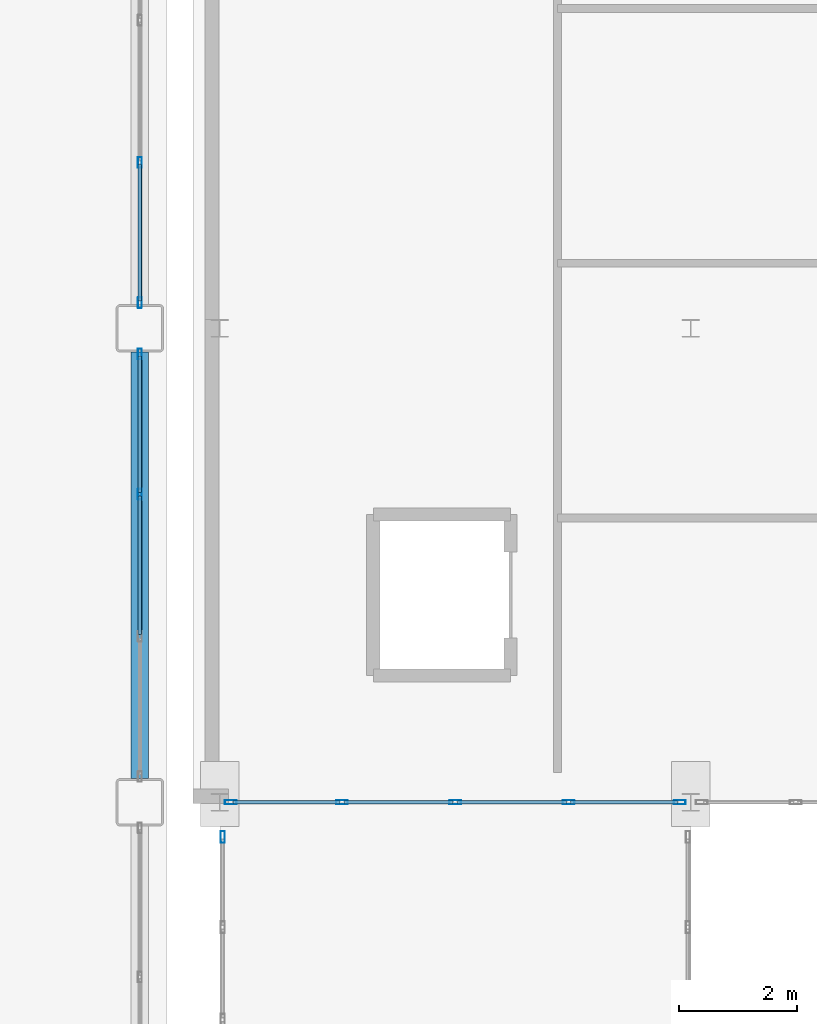
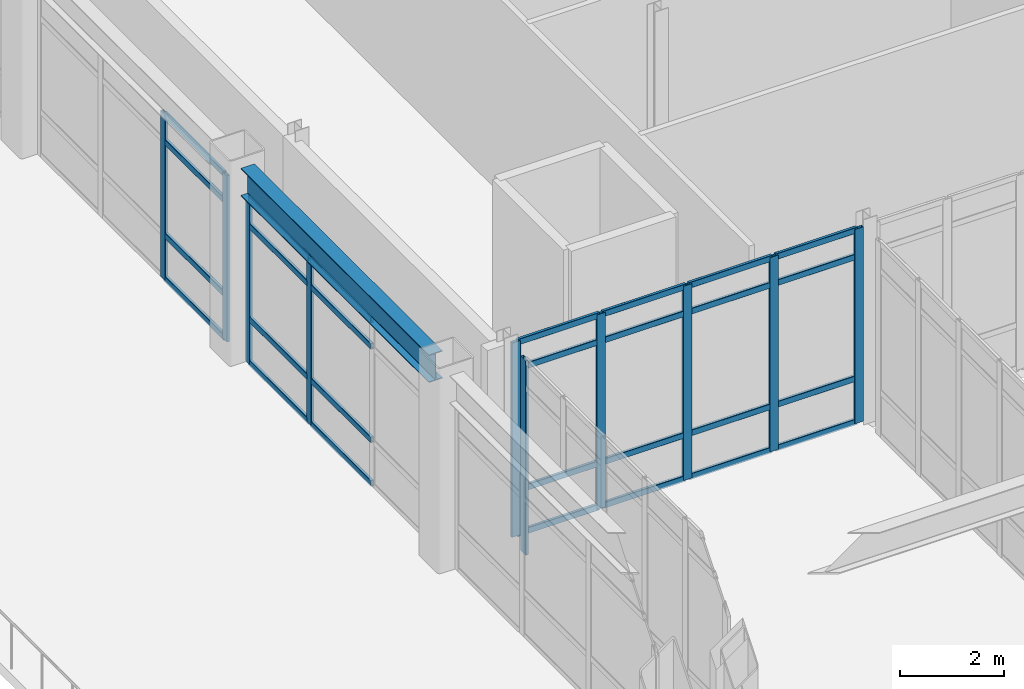
# One storey, part 64 of 154: 38 members, 1 beam, 4 elements without a shape of their own.
"""IFC4 building model written with IfcOpenShell, lengths in metres."""

from ifc_helpers import new_model, si_unit, direction, frame, origin, origin_2d, place, context, subcontext, project, spatial, hollow_rectangle, i_section, extrude, material, layer, layer_set, material_profile, profile_set, type_object, element, aggregate, save


model = new_model("IFC4")

# Units and contexts
model_context = context("Model", 3, precision=1e-05, world=origin(), true_north=direction((0.0, 1.0)))
body_context = subcontext(model_context, "Body", "Model", "MODEL_VIEW")
ifc_project = project(units=[si_unit("LENGTHUNIT", "METRE"), si_unit("AREAUNIT", "SQUARE_METRE"), si_unit("VOLUMEUNIT", "CUBIC_METRE"), si_unit("PLANEANGLEUNIT", "RADIAN"), si_unit("MASSUNIT", "GRAM", prefix="KILO")], contexts=[model_context])

# Site, building, storey
site_placement = place(None, origin())
site = spatial("IfcSite", under=ifc_project, at=site_placement, CompositionType="ELEMENT")
building_placement = place(site_placement, origin())
building = spatial("IfcBuilding", under=site, at=building_placement, Name="Kazehara Bluff Congress Hotel", CompositionType="ELEMENT")
storey_placement = place(building_placement, frame((0.0, 0.0, 10.199951171875)))
storey = spatial("IfcBuildingStorey", under=building, at=storey_placement, Name="L02", CompositionType="ELEMENT", Elevation=10.199951171875)

# Curtain wall, members
ifc_material_1 = material(Name="Anodised aluminium", Category="aluminium")
ifc_layer_1 = layer(ifc_material_1, 0.159912109375)
ifc_layer_set_1 = layer_set([ifc_layer_1], Name="Anodised aluminium")
curtain_wall_type_1 = type_object("IfcCurtainWallType", Name="TP-CW-23", PredefinedType="NOTDEFINED", material=ifc_layer_set_1)
curtain_wall_1_placement = place(storey_placement, origin())
curtain_wall_1 = element("IfcCurtainWall", 1, at=curtain_wall_1_placement, inside=storey, type_object=curtain_wall_type_1, Name="L02 curtain wall CW-23 CW-V1-L02-X5835-8130", PredefinedType="NOTDEFINED")
ifc_material_2 = material(Name="Anodised aluminium", Category="aluminium")
ifc_material_profile_1 = material_profile(ifc_material_2, hollow_rectangle(XDim=0.06494140625, YDim=0.179931640625, WallThickness=0.00390625, InnerFilletRadius=0.00390625, OuterFilletRadius=0.008056640625, at=origin_2d()))
ifc_profile_set_1 = profile_set([ifc_material_profile_1], Name="Anodised aluminium")
member_type_1 = type_object("IfcMemberType", Name="TP-CWM-02", PredefinedType="MULLION", material=ifc_profile_set_1)
member_1_placement = place(storey_placement, frame((58.35009765625, 86.10009765625, 0.0), z_axis=(0.0, 0.0, 1.0), x_axis=(-1.0, 0.0, 0.0)))
member_1 = element("IfcMember", 2, at=member_1_placement, type_object=member_type_1, Name="CW-23 mullion 3", PredefinedType="MULLION", context=body_context, shape_type="SweptSolid", body=[
    extrude(hollow_rectangle(XDim=0.06494140625, YDim=0.179931640625, WallThickness=0.00390625, InnerFilletRadius=0.00390625, OuterFilletRadius=0.008056640625, at=origin_2d()), origin(), (0.0, 0.0, 1.0), 3.885009765625),
])
member_2_placement = place(storey_placement, frame((58.35009765625, 88.467529296875, 0.0), z_axis=(0.0, 0.0, 1.0), x_axis=(-1.0, 0.0, 0.0)))
member_2 = element("IfcMember", 3, at=member_2_placement, type_object=member_type_1, Name="CW-23 mullion 4", PredefinedType="MULLION", context=body_context, shape_type="SweptSolid", body=[
    extrude(hollow_rectangle(XDim=0.06494140625, YDim=0.179931640625, WallThickness=0.00390625, InnerFilletRadius=0.00390625, OuterFilletRadius=0.008056640625, at=origin_2d()), origin(), (0.0, 0.0, 1.0), 3.885009765625),
])

curtain_wall_2_placement = place(storey_placement, origin())
curtain_wall_2 = element("IfcCurtainWall", 4, at=curtain_wall_2_placement, inside=storey, type_object=curtain_wall_type_1, Name="L02 curtain wall CW-23 CW-V1-L02-X5835-8930", PredefinedType="NOTDEFINED")
member_3_placement = place(storey_placement, frame((58.35009765625, 89.33251953125, 0.0), z_axis=(0.0, 0.0, 1.0), x_axis=(-1.0, 0.0, 0.0)))
member_3 = element("IfcMember", 5, at=member_3_placement, type_object=member_type_1, Name="CW-23 mullion 1", PredefinedType="MULLION", context=body_context, shape_type="SweptSolid", body=[
    extrude(hollow_rectangle(XDim=0.06494140625, YDim=0.179931640625, WallThickness=0.00390625, InnerFilletRadius=0.00390625, OuterFilletRadius=0.008056640625, at=origin_2d()), origin(), (0.0, 0.0, 1.0), 3.885009765625),
])
member_4_placement = place(storey_placement, frame((58.35009765625, 91.699951171875, 0.0), z_axis=(0.0, 0.0, 1.0), x_axis=(-1.0, 0.0, 0.0)))
member_4 = element("IfcMember", 6, at=member_4_placement, type_object=member_type_1, Name="CW-23 mullion 2", PredefinedType="MULLION", context=body_context, shape_type="SweptSolid", body=[
    extrude(hollow_rectangle(XDim=0.06494140625, YDim=0.179931640625, WallThickness=0.00390625, InnerFilletRadius=0.00390625, OuterFilletRadius=0.008056640625, at=origin_2d()), origin(), (0.0, 0.0, 1.0), 3.885009765625),
])

# Curtain wall, member
ifc_material_3 = material(Name="Anodised aluminium", Category="aluminium")
ifc_layer_2 = layer(ifc_material_3, 0.159912109375)
ifc_layer_set_2 = layer_set([ifc_layer_2], Name="Anodised aluminium")
curtain_wall_type_2 = type_object("IfcCurtainWallType", Name="TP-CW-03", PredefinedType="NOTDEFINED", material=ifc_layer_set_2)
curtain_wall_3_placement = place(storey_placement, origin())
curtain_wall_3 = element("IfcCurtainWall", 7, at=curtain_wall_3_placement, inside=storey, type_object=curtain_wall_type_2, Name="L02 curtain wall CW-03 CW-BRG-34-L02-A", PredefinedType="NOTDEFINED")
ifc_material_4 = material(Name="Anodised aluminium", Category="aluminium")
ifc_material_profile_2 = material_profile(ifc_material_4, hollow_rectangle(XDim=0.070068359375, YDim=0.199951171875, WallThickness=0.0048828125, InnerFilletRadius=0.0048828125, OuterFilletRadius=0.010009765625, at=origin_2d()))
ifc_profile_set_2 = profile_set([ifc_material_profile_2], Name="Anodised aluminium")
member_type_2 = type_object("IfcMemberType", Name="TP-CWM-03", PredefinedType="MULLION", material=ifc_profile_set_2)
member_5_placement = place(storey_placement, frame((59.75, 80.31494140625, 0.0), z_axis=(0.0, 0.0, 1.0), x_axis=(-1.0, 0.0, 0.0)))
member_5 = element("IfcMember", 8, at=member_5_placement, type_object=member_type_2, Name="CW-03 mullion 6", PredefinedType="MULLION", context=body_context, shape_type="SweptSolid", body=[
    extrude(hollow_rectangle(XDim=0.070068359375, YDim=0.199951171875, WallThickness=0.0048828125, InnerFilletRadius=0.0048828125, OuterFilletRadius=0.010009765625, at=origin_2d()), origin(), (0.0, 0.0, 1.0), 4.545166015625),
])
aggregate(curtain_wall_3, [member_5])

# Curtain wall, members
ifc_material_5 = material(Name="Anodised aluminium", Category="aluminium")
ifc_layer_3 = layer(ifc_material_5, 0.159912109375)
ifc_layer_set_3 = layer_set([ifc_layer_3], Name="Anodised aluminium")
curtain_wall_type_3 = type_object("IfcCurtainWallType", Name="TP-CW-38", PredefinedType="NOTDEFINED", material=ifc_layer_set_3)
curtain_wall_4_placement = place(storey_placement, origin())
curtain_wall_4 = element("IfcCurtainWall", 9, at=curtain_wall_4_placement, inside=storey, type_object=curtain_wall_type_3, Name="L02 curtain wall CW-38 CW-V3-L02-Y8090-5985", PredefinedType="NOTDEFINED")
member_6_placement = place(storey_placement, frame((59.885009765625, 80.89990234375, 0.0), z_axis=(0.0, 0.0, 1.0), x_axis=(0.0, 1.0, 0.0)))
member_6 = element("IfcMember", 10, at=member_6_placement, type_object=member_type_2, Name="CW-38 mullion 1", PredefinedType="MULLION", context=body_context, shape_type="SweptSolid", body=[
    extrude(hollow_rectangle(XDim=0.070068359375, YDim=0.199951171875, WallThickness=0.0048828125, InnerFilletRadius=0.0048828125, OuterFilletRadius=0.010009765625, at=origin_2d()), origin(), (0.0, 0.0, 1.0), 4.545166015625),
])
member_7_placement = place(storey_placement, frame((61.762451171875, 80.89990234375, 0.0), z_axis=(0.0, 0.0, 1.0), x_axis=(0.0, 1.0, 0.0)))
member_7 = element("IfcMember", 11, at=member_7_placement, type_object=member_type_2, Name="CW-38 mullion 2", PredefinedType="MULLION", context=body_context, shape_type="SweptSolid", body=[
    extrude(hollow_rectangle(XDim=0.070068359375, YDim=0.199951171875, WallThickness=0.0048828125, InnerFilletRadius=0.0048828125, OuterFilletRadius=0.010009765625, at=origin_2d()), origin(), (0.0, 0.0, 1.0), 4.545166015625),
])
member_8_placement = place(storey_placement, frame((63.675048828125, 80.89990234375, 0.0), z_axis=(0.0, 0.0, 1.0), x_axis=(0.0, 1.0, 0.0)))
member_8 = element("IfcMember", 12, at=member_8_placement, type_object=member_type_2, Name="CW-38 mullion 3", PredefinedType="MULLION", context=body_context, shape_type="SweptSolid", body=[
    extrude(hollow_rectangle(XDim=0.070068359375, YDim=0.199951171875, WallThickness=0.0048828125, InnerFilletRadius=0.0048828125, OuterFilletRadius=0.010009765625, at=origin_2d()), origin(), (0.0, 0.0, 1.0), 4.545166015625),
])
member_9_placement = place(storey_placement, frame((65.58740234375, 80.89990234375, 0.0), z_axis=(0.0, 0.0, 1.0), x_axis=(0.0, 1.0, 0.0)))
member_9 = element("IfcMember", 13, at=member_9_placement, type_object=member_type_2, Name="CW-38 mullion 4", PredefinedType="MULLION", context=body_context, shape_type="SweptSolid", body=[
    extrude(hollow_rectangle(XDim=0.070068359375, YDim=0.199951171875, WallThickness=0.0048828125, InnerFilletRadius=0.0048828125, OuterFilletRadius=0.010009765625, at=origin_2d()), origin(), (0.0, 0.0, 1.0), 4.545166015625),
])
member_10_placement = place(storey_placement, frame((67.465087890625, 80.89990234375, 0.0), z_axis=(0.0, 0.0, 1.0), x_axis=(0.0, 1.0, 0.0)))
member_10 = element("IfcMember", 14, at=member_10_placement, type_object=member_type_2, Name="CW-38 mullion 5", PredefinedType="MULLION", context=body_context, shape_type="SweptSolid", body=[
    extrude(hollow_rectangle(XDim=0.070068359375, YDim=0.199951171875, WallThickness=0.0048828125, InnerFilletRadius=0.0048828125, OuterFilletRadius=0.010009765625, at=origin_2d()), origin(), (0.0, 0.0, 1.0), 4.545166015625),
])

# Member
ifc_material_6 = material(Name="Anodised aluminium", Category="aluminium")
ifc_material_profile_3 = material_profile(ifc_material_6, hollow_rectangle(XDim=0.06494140625, YDim=0.139892578125, WallThickness=0.00390625, InnerFilletRadius=0.00390625, OuterFilletRadius=0.008056640625, at=origin_2d()))
ifc_profile_set_3 = profile_set([ifc_material_profile_3], Name="Anodised aluminium")
member_type_3 = type_object("IfcMemberType", Name="TP-CWT-02", PredefinedType="USERDEFINED", material=ifc_profile_set_3)
member_11_placement = place(storey_placement, frame((58.35009765625, 83.732421875, 0.032470703125), z_axis=(0.0, 1.0, 0.0), x_axis=(-1.0, 0.0, 0.0)))
member_11 = element("IfcMember", 15, at=member_11_placement, type_object=member_type_3, Name="CW-23 transom 2.1", ObjectType="TRANSOM", PredefinedType="USERDEFINED", context=body_context, shape_type="SweptSolid", body=[
    extrude(hollow_rectangle(XDim=0.06494140625, YDim=0.139892578125, WallThickness=0.00390625, InnerFilletRadius=0.00390625, OuterFilletRadius=0.008056640625, at=origin_2d()), origin(), (0.0, 0.0, 1.0), 2.3349609375),
])

member_12_placement = place(storey_placement, frame((58.35009765625, 83.732421875, 1.050048828125), z_axis=(0.0, 1.0, 0.0), x_axis=(-1.0, 0.0, 0.0)))
member_12 = element("IfcMember", 16, at=member_12_placement, type_object=member_type_3, Name="CW-23 transom 2.2", ObjectType="TRANSOM", PredefinedType="USERDEFINED", context=body_context, shape_type="SweptSolid", body=[
    extrude(hollow_rectangle(XDim=0.06494140625, YDim=0.139892578125, WallThickness=0.00390625, InnerFilletRadius=0.00390625, OuterFilletRadius=0.008056640625, at=origin_2d()), origin(), (0.0, 0.0, 1.0), 2.3349609375),
])

member_13_placement = place(storey_placement, frame((58.35009765625, 83.732421875, 3.235107421875), z_axis=(0.0, 1.0, 0.0), x_axis=(-1.0, 0.0, 0.0)))
member_13 = element("IfcMember", 17, at=member_13_placement, type_object=member_type_3, Name="CW-23 transom 2.3", ObjectType="TRANSOM", PredefinedType="USERDEFINED", context=body_context, shape_type="SweptSolid", body=[
    extrude(hollow_rectangle(XDim=0.06494140625, YDim=0.139892578125, WallThickness=0.00390625, InnerFilletRadius=0.00390625, OuterFilletRadius=0.008056640625, at=origin_2d()), origin(), (0.0, 0.0, 1.0), 2.3349609375),
])

member_14_placement = place(storey_placement, frame((58.35009765625, 83.732421875, 3.8525390625), z_axis=(0.0, 1.0, 0.0), x_axis=(-1.0, 0.0, 0.0)))
member_14 = element("IfcMember", 18, at=member_14_placement, type_object=member_type_3, Name="CW-23 transom 2.4", ObjectType="TRANSOM", PredefinedType="USERDEFINED", context=body_context, shape_type="SweptSolid", body=[
    extrude(hollow_rectangle(XDim=0.06494140625, YDim=0.139892578125, WallThickness=0.00390625, InnerFilletRadius=0.00390625, OuterFilletRadius=0.008056640625, at=origin_2d()), origin(), (0.0, 0.0, 1.0), 2.3349609375),
])

member_15_placement = place(storey_placement, frame((58.35009765625, 86.132568359375, 0.032470703125), z_axis=(0.0, 1.0, 0.0), x_axis=(-1.0, 0.0, 0.0)))
member_15 = element("IfcMember", 19, at=member_15_placement, type_object=member_type_3, Name="CW-23 transom 3.1", ObjectType="TRANSOM", PredefinedType="USERDEFINED", context=body_context, shape_type="SweptSolid", body=[
    extrude(hollow_rectangle(XDim=0.06494140625, YDim=0.139892578125, WallThickness=0.00390625, InnerFilletRadius=0.00390625, OuterFilletRadius=0.008056640625, at=origin_2d()), origin(), (0.0, 0.0, 1.0), 2.302490234375),
])

member_16_placement = place(storey_placement, frame((58.35009765625, 86.132568359375, 1.050048828125), z_axis=(0.0, 1.0, 0.0), x_axis=(-1.0, 0.0, 0.0)))
member_16 = element("IfcMember", 20, at=member_16_placement, type_object=member_type_3, Name="CW-23 transom 3.2", ObjectType="TRANSOM", PredefinedType="USERDEFINED", context=body_context, shape_type="SweptSolid", body=[
    extrude(hollow_rectangle(XDim=0.06494140625, YDim=0.139892578125, WallThickness=0.00390625, InnerFilletRadius=0.00390625, OuterFilletRadius=0.008056640625, at=origin_2d()), origin(), (0.0, 0.0, 1.0), 2.302490234375),
])

member_17_placement = place(storey_placement, frame((58.35009765625, 86.132568359375, 3.235107421875), z_axis=(0.0, 1.0, 0.0), x_axis=(-1.0, 0.0, 0.0)))
member_17 = element("IfcMember", 21, at=member_17_placement, type_object=member_type_3, Name="CW-23 transom 3.3", ObjectType="TRANSOM", PredefinedType="USERDEFINED", context=body_context, shape_type="SweptSolid", body=[
    extrude(hollow_rectangle(XDim=0.06494140625, YDim=0.139892578125, WallThickness=0.00390625, InnerFilletRadius=0.00390625, OuterFilletRadius=0.008056640625, at=origin_2d()), origin(), (0.0, 0.0, 1.0), 2.302490234375),
])

member_18_placement = place(storey_placement, frame((58.35009765625, 86.132568359375, 3.8525390625), z_axis=(0.0, 1.0, 0.0), x_axis=(-1.0, 0.0, 0.0)))
member_18 = element("IfcMember", 22, at=member_18_placement, type_object=member_type_3, Name="CW-23 transom 3.4", ObjectType="TRANSOM", PredefinedType="USERDEFINED", context=body_context, shape_type="SweptSolid", body=[
    extrude(hollow_rectangle(XDim=0.06494140625, YDim=0.139892578125, WallThickness=0.00390625, InnerFilletRadius=0.00390625, OuterFilletRadius=0.008056640625, at=origin_2d()), origin(), (0.0, 0.0, 1.0), 2.302490234375),
])

aggregate(curtain_wall_1, [member_1, member_2, member_11, member_12, member_13, member_14, member_15, member_16, member_17, member_18])

member_19_placement = place(storey_placement, frame((58.35009765625, 89.364990234375, 0.032470703125), z_axis=(0.0, 1.0, 0.0), x_axis=(-1.0, 0.0, 0.0)))
member_19 = element("IfcMember", 23, at=member_19_placement, type_object=member_type_3, Name="CW-23 transom 1.1", ObjectType="TRANSOM", PredefinedType="USERDEFINED", context=body_context, shape_type="SweptSolid", body=[
    extrude(hollow_rectangle(XDim=0.06494140625, YDim=0.139892578125, WallThickness=0.00390625, InnerFilletRadius=0.00390625, OuterFilletRadius=0.008056640625, at=origin_2d()), origin(), (0.0, 0.0, 1.0), 2.302490234375),
])

member_20_placement = place(storey_placement, frame((58.35009765625, 89.364990234375, 1.050048828125), z_axis=(0.0, 1.0, 0.0), x_axis=(-1.0, 0.0, 0.0)))
member_20 = element("IfcMember", 24, at=member_20_placement, type_object=member_type_3, Name="CW-23 transom 1.2", ObjectType="TRANSOM", PredefinedType="USERDEFINED", context=body_context, shape_type="SweptSolid", body=[
    extrude(hollow_rectangle(XDim=0.06494140625, YDim=0.139892578125, WallThickness=0.00390625, InnerFilletRadius=0.00390625, OuterFilletRadius=0.008056640625, at=origin_2d()), origin(), (0.0, 0.0, 1.0), 2.302490234375),
])

member_21_placement = place(storey_placement, frame((58.35009765625, 89.364990234375, 3.235107421875), z_axis=(0.0, 1.0, 0.0), x_axis=(-1.0, 0.0, 0.0)))
member_21 = element("IfcMember", 25, at=member_21_placement, type_object=member_type_3, Name="CW-23 transom 1.3", ObjectType="TRANSOM", PredefinedType="USERDEFINED", context=body_context, shape_type="SweptSolid", body=[
    extrude(hollow_rectangle(XDim=0.06494140625, YDim=0.139892578125, WallThickness=0.00390625, InnerFilletRadius=0.00390625, OuterFilletRadius=0.008056640625, at=origin_2d()), origin(), (0.0, 0.0, 1.0), 2.302490234375),
])

member_22_placement = place(storey_placement, frame((58.35009765625, 89.364990234375, 3.8525390625), z_axis=(0.0, 1.0, 0.0), x_axis=(-1.0, 0.0, 0.0)))
member_22 = element("IfcMember", 26, at=member_22_placement, type_object=member_type_3, Name="CW-23 transom 1.4", ObjectType="TRANSOM", PredefinedType="USERDEFINED", context=body_context, shape_type="SweptSolid", body=[
    extrude(hollow_rectangle(XDim=0.06494140625, YDim=0.139892578125, WallThickness=0.00390625, InnerFilletRadius=0.00390625, OuterFilletRadius=0.008056640625, at=origin_2d()), origin(), (0.0, 0.0, 1.0), 2.302490234375),
])

aggregate(curtain_wall_2, [member_3, member_4, member_19, member_20, member_21, member_22])

member_23_placement = place(storey_placement, frame((59.919921875, 80.89990234375, 0.032470703125), z_axis=(1.0, 0.0, 0.0), x_axis=(0.0, 1.0, 0.0)))
member_23 = element("IfcMember", 27, at=member_23_placement, type_object=member_type_3, Name="CW-38 transom 1.1", ObjectType="TRANSOM", PredefinedType="USERDEFINED", context=body_context, shape_type="SweptSolid", body=[
    extrude(hollow_rectangle(XDim=0.06494140625, YDim=0.139892578125, WallThickness=0.00390625, InnerFilletRadius=0.00390625, OuterFilletRadius=0.008056640625, at=origin_2d()), origin(), (0.0, 0.0, 1.0), 1.8076171875),
])

member_24_placement = place(storey_placement, frame((59.919921875, 80.89990234375, 1.050048828125), z_axis=(1.0, 0.0, 0.0), x_axis=(0.0, 1.0, 0.0)))
member_24 = element("IfcMember", 28, at=member_24_placement, type_object=member_type_3, Name="CW-38 transom 1.2", ObjectType="TRANSOM", PredefinedType="USERDEFINED", context=body_context, shape_type="SweptSolid", body=[
    extrude(hollow_rectangle(XDim=0.06494140625, YDim=0.139892578125, WallThickness=0.00390625, InnerFilletRadius=0.00390625, OuterFilletRadius=0.008056640625, at=origin_2d()), origin(), (0.0, 0.0, 1.0), 1.8076171875),
])

member_25_placement = place(storey_placement, frame((59.919921875, 80.89990234375, 3.89501953125), z_axis=(1.0, 0.0, 0.0), x_axis=(0.0, 1.0, 0.0)))
member_25 = element("IfcMember", 29, at=member_25_placement, type_object=member_type_3, Name="CW-38 transom 1.3", ObjectType="TRANSOM", PredefinedType="USERDEFINED", context=body_context, shape_type="SweptSolid", body=[
    extrude(hollow_rectangle(XDim=0.06494140625, YDim=0.139892578125, WallThickness=0.00390625, InnerFilletRadius=0.00390625, OuterFilletRadius=0.008056640625, at=origin_2d()), origin(), (0.0, 0.0, 1.0), 1.8076171875),
])

member_26_placement = place(storey_placement, frame((59.919921875, 80.89990234375, 4.512451171875), z_axis=(1.0, 0.0, 0.0), x_axis=(0.0, 1.0, 0.0)))
member_26 = element("IfcMember", 30, at=member_26_placement, type_object=member_type_3, Name="CW-38 transom 1.4", ObjectType="TRANSOM", PredefinedType="USERDEFINED", context=body_context, shape_type="SweptSolid", body=[
    extrude(hollow_rectangle(XDim=0.06494140625, YDim=0.139892578125, WallThickness=0.00390625, InnerFilletRadius=0.00390625, OuterFilletRadius=0.008056640625, at=origin_2d()), origin(), (0.0, 0.0, 1.0), 1.8076171875),
])

member_27_placement = place(storey_placement, frame((61.797607421875, 80.89990234375, 0.032470703125), z_axis=(1.0, 0.0, 0.0), x_axis=(0.0, 1.0, 0.0)))
member_27 = element("IfcMember", 31, at=member_27_placement, type_object=member_type_3, Name="CW-38 transom 2.1", ObjectType="TRANSOM", PredefinedType="USERDEFINED", context=body_context, shape_type="SweptSolid", body=[
    extrude(hollow_rectangle(XDim=0.06494140625, YDim=0.139892578125, WallThickness=0.00390625, InnerFilletRadius=0.00390625, OuterFilletRadius=0.008056640625, at=origin_2d()), origin(), (0.0, 0.0, 1.0), 1.84228515625),
])

member_28_placement = place(storey_placement, frame((61.797607421875, 80.89990234375, 1.050048828125), z_axis=(1.0, 0.0, 0.0), x_axis=(0.0, 1.0, 0.0)))
member_28 = element("IfcMember", 32, at=member_28_placement, type_object=member_type_3, Name="CW-38 transom 2.2", ObjectType="TRANSOM", PredefinedType="USERDEFINED", context=body_context, shape_type="SweptSolid", body=[
    extrude(hollow_rectangle(XDim=0.06494140625, YDim=0.139892578125, WallThickness=0.00390625, InnerFilletRadius=0.00390625, OuterFilletRadius=0.008056640625, at=origin_2d()), origin(), (0.0, 0.0, 1.0), 1.84228515625),
])

member_29_placement = place(storey_placement, frame((61.797607421875, 80.89990234375, 3.89501953125), z_axis=(1.0, 0.0, 0.0), x_axis=(0.0, 1.0, 0.0)))
member_29 = element("IfcMember", 33, at=member_29_placement, type_object=member_type_3, Name="CW-38 transom 2.3", ObjectType="TRANSOM", PredefinedType="USERDEFINED", context=body_context, shape_type="SweptSolid", body=[
    extrude(hollow_rectangle(XDim=0.06494140625, YDim=0.139892578125, WallThickness=0.00390625, InnerFilletRadius=0.00390625, OuterFilletRadius=0.008056640625, at=origin_2d()), origin(), (0.0, 0.0, 1.0), 1.84228515625),
])

member_30_placement = place(storey_placement, frame((61.797607421875, 80.89990234375, 4.512451171875), z_axis=(1.0, 0.0, 0.0), x_axis=(0.0, 1.0, 0.0)))
member_30 = element("IfcMember", 34, at=member_30_placement, type_object=member_type_3, Name="CW-38 transom 2.4", ObjectType="TRANSOM", PredefinedType="USERDEFINED", context=body_context, shape_type="SweptSolid", body=[
    extrude(hollow_rectangle(XDim=0.06494140625, YDim=0.139892578125, WallThickness=0.00390625, InnerFilletRadius=0.00390625, OuterFilletRadius=0.008056640625, at=origin_2d()), origin(), (0.0, 0.0, 1.0), 1.84228515625),
])

member_31_placement = place(storey_placement, frame((63.7099609375, 80.89990234375, 0.032470703125), z_axis=(1.0, 0.0, 0.0), x_axis=(0.0, 1.0, 0.0)))
member_31 = element("IfcMember", 35, at=member_31_placement, type_object=member_type_3, Name="CW-38 transom 3.1", ObjectType="TRANSOM", PredefinedType="USERDEFINED", context=body_context, shape_type="SweptSolid", body=[
    extrude(hollow_rectangle(XDim=0.06494140625, YDim=0.139892578125, WallThickness=0.00390625, InnerFilletRadius=0.00390625, OuterFilletRadius=0.008056640625, at=origin_2d()), origin(), (0.0, 0.0, 1.0), 1.842529296875),
])

member_32_placement = place(storey_placement, frame((63.7099609375, 80.89990234375, 1.050048828125), z_axis=(1.0, 0.0, 0.0), x_axis=(0.0, 1.0, 0.0)))
member_32 = element("IfcMember", 36, at=member_32_placement, type_object=member_type_3, Name="CW-38 transom 3.2", ObjectType="TRANSOM", PredefinedType="USERDEFINED", context=body_context, shape_type="SweptSolid", body=[
    extrude(hollow_rectangle(XDim=0.06494140625, YDim=0.139892578125, WallThickness=0.00390625, InnerFilletRadius=0.00390625, OuterFilletRadius=0.008056640625, at=origin_2d()), origin(), (0.0, 0.0, 1.0), 1.842529296875),
])

member_33_placement = place(storey_placement, frame((63.7099609375, 80.89990234375, 3.89501953125), z_axis=(1.0, 0.0, 0.0), x_axis=(0.0, 1.0, 0.0)))
member_33 = element("IfcMember", 37, at=member_33_placement, type_object=member_type_3, Name="CW-38 transom 3.3", ObjectType="TRANSOM", PredefinedType="USERDEFINED", context=body_context, shape_type="SweptSolid", body=[
    extrude(hollow_rectangle(XDim=0.06494140625, YDim=0.139892578125, WallThickness=0.00390625, InnerFilletRadius=0.00390625, OuterFilletRadius=0.008056640625, at=origin_2d()), origin(), (0.0, 0.0, 1.0), 1.842529296875),
])

member_34_placement = place(storey_placement, frame((63.7099609375, 80.89990234375, 4.512451171875), z_axis=(1.0, 0.0, 0.0), x_axis=(0.0, 1.0, 0.0)))
member_34 = element("IfcMember", 38, at=member_34_placement, type_object=member_type_3, Name="CW-38 transom 3.4", ObjectType="TRANSOM", PredefinedType="USERDEFINED", context=body_context, shape_type="SweptSolid", body=[
    extrude(hollow_rectangle(XDim=0.06494140625, YDim=0.139892578125, WallThickness=0.00390625, InnerFilletRadius=0.00390625, OuterFilletRadius=0.008056640625, at=origin_2d()), origin(), (0.0, 0.0, 1.0), 1.842529296875),
])

member_35_placement = place(storey_placement, frame((65.62255859375, 80.89990234375, 0.032470703125), z_axis=(1.0, 0.0, 0.0), x_axis=(0.0, 1.0, 0.0)))
member_35 = element("IfcMember", 39, at=member_35_placement, type_object=member_type_3, Name="CW-38 transom 4.1", ObjectType="TRANSOM", PredefinedType="USERDEFINED", context=body_context, shape_type="SweptSolid", body=[
    extrude(hollow_rectangle(XDim=0.06494140625, YDim=0.139892578125, WallThickness=0.00390625, InnerFilletRadius=0.00390625, OuterFilletRadius=0.008056640625, at=origin_2d()), origin(), (0.0, 0.0, 1.0), 1.807373046875),
])

member_36_placement = place(storey_placement, frame((65.62255859375, 80.89990234375, 1.050048828125), z_axis=(1.0, 0.0, 0.0), x_axis=(0.0, 1.0, 0.0)))
member_36 = element("IfcMember", 40, at=member_36_placement, type_object=member_type_3, Name="CW-38 transom 4.2", ObjectType="TRANSOM", PredefinedType="USERDEFINED", context=body_context, shape_type="SweptSolid", body=[
    extrude(hollow_rectangle(XDim=0.06494140625, YDim=0.139892578125, WallThickness=0.00390625, InnerFilletRadius=0.00390625, OuterFilletRadius=0.008056640625, at=origin_2d()), origin(), (0.0, 0.0, 1.0), 1.807373046875),
])

member_37_placement = place(storey_placement, frame((65.62255859375, 80.89990234375, 3.89501953125), z_axis=(1.0, 0.0, 0.0), x_axis=(0.0, 1.0, 0.0)))
member_37 = element("IfcMember", 41, at=member_37_placement, type_object=member_type_3, Name="CW-38 transom 4.3", ObjectType="TRANSOM", PredefinedType="USERDEFINED", context=body_context, shape_type="SweptSolid", body=[
    extrude(hollow_rectangle(XDim=0.06494140625, YDim=0.139892578125, WallThickness=0.00390625, InnerFilletRadius=0.00390625, OuterFilletRadius=0.008056640625, at=origin_2d()), origin(), (0.0, 0.0, 1.0), 1.807373046875),
])

member_38_placement = place(storey_placement, frame((65.62255859375, 80.89990234375, 4.512451171875), z_axis=(1.0, 0.0, 0.0), x_axis=(0.0, 1.0, 0.0)))
member_38 = element("IfcMember", 42, at=member_38_placement, type_object=member_type_3, Name="CW-38 transom 4.4", ObjectType="TRANSOM", PredefinedType="USERDEFINED", context=body_context, shape_type="SweptSolid", body=[
    extrude(hollow_rectangle(XDim=0.06494140625, YDim=0.139892578125, WallThickness=0.00390625, InnerFilletRadius=0.00390625, OuterFilletRadius=0.008056640625, at=origin_2d()), origin(), (0.0, 0.0, 1.0), 1.807373046875),
])

aggregate(curtain_wall_4, [member_6, member_7, member_8, member_9, member_10, member_23, member_24, member_25, member_26, member_27, member_28, member_29, member_30, member_31, member_32, member_33, member_34, member_35, member_36, member_37, member_38])

# Beam
ifc_material_7 = material(Name="Steel SN490B", Category="steel")
ifc_material_profile_4 = material_profile(ifc_material_7, i_section(OverallWidth=0.300048828125, OverallDepth=0.64990234375, WebThickness=0.011962890625, FlangeThickness=0.02001953125, FilletRadius=0.012939453125, at=origin_2d()))
ifc_profile_set_4 = profile_set([ifc_material_profile_4], Name="Steel SN490B")
beam_type = type_object("IfcBeamType", Name="TP-G-03", PredefinedType="BEAM", material=ifc_profile_set_4)
beam_placement = place(storey_placement, frame((58.35009765625, 81.300048828125, 4.235107421875), z_axis=(0.0, 1.0, 0.0), x_axis=(-1.0, 0.0, 0.0)))
element("IfcBeam", 43, at=beam_placement, inside=storey, type_object=beam_type, Name="L02 girder G-03 21", PredefinedType="BEAM", context=body_context, shape_type="SweptSolid", body=[
    extrude(i_section(OverallWidth=0.300048828125, OverallDepth=0.64990234375, WebThickness=0.011962890625, FlangeThickness=0.02001953125, FilletRadius=0.012939453125, at=origin_2d()), origin(), (0.0, 0.0, 1.0), 7.199951171875),
])

save(model, "model.ifc")
